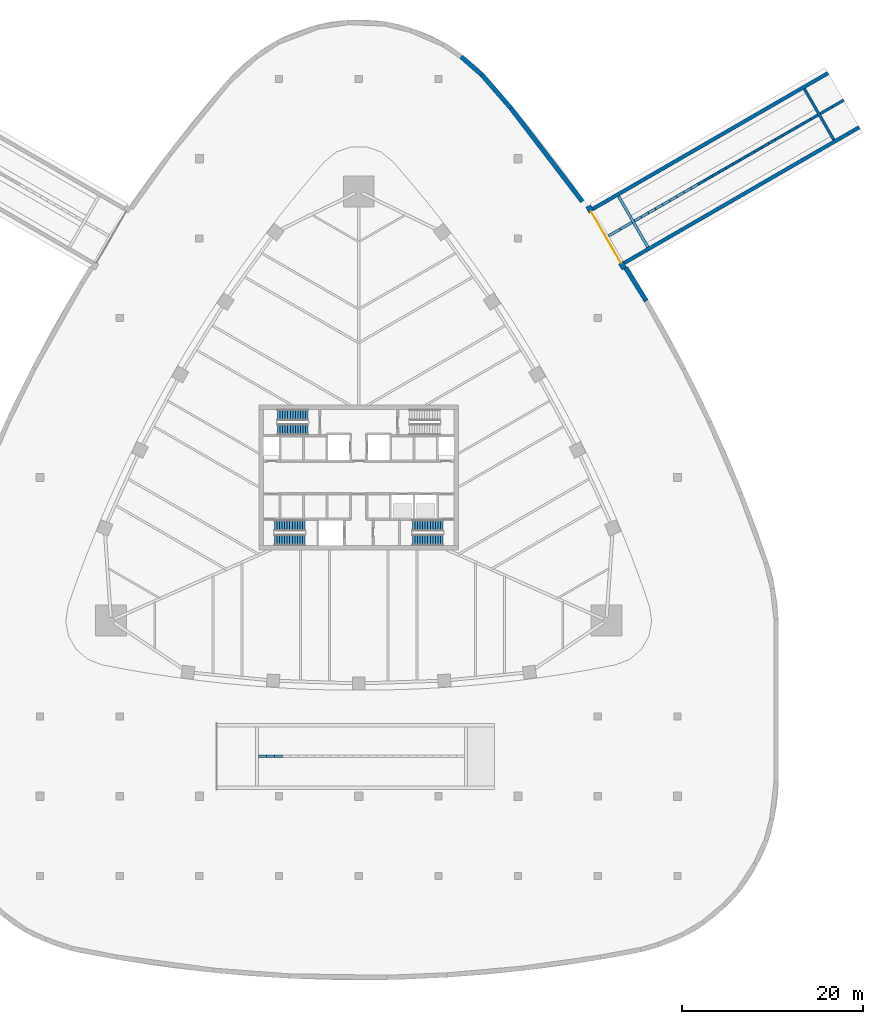
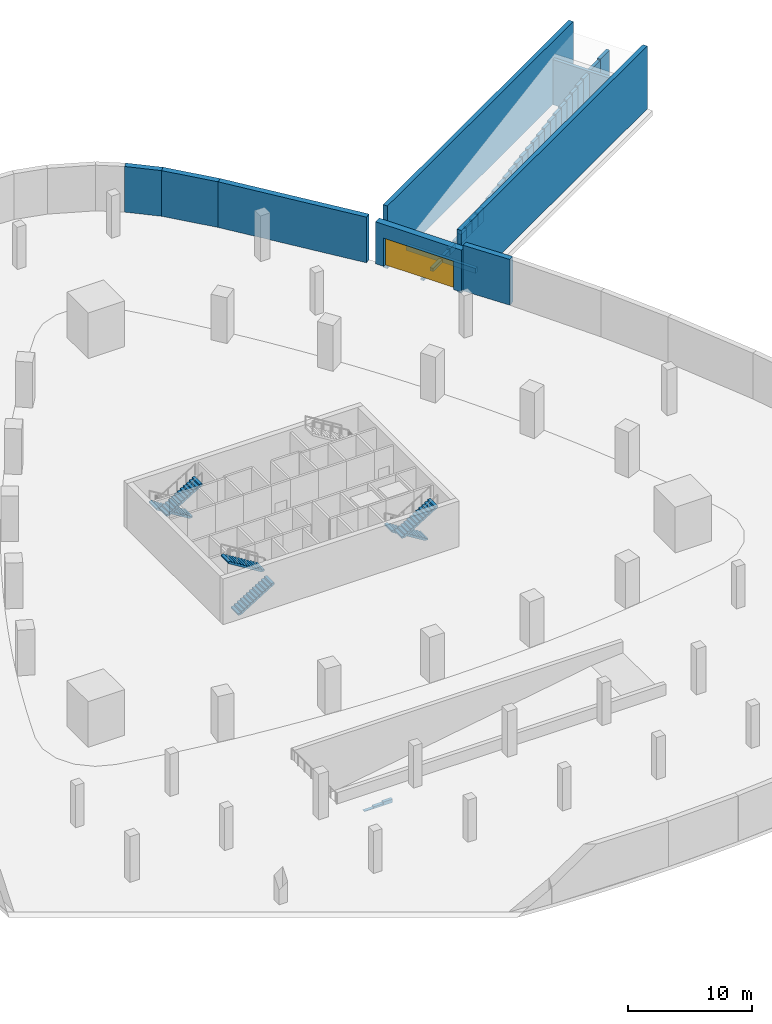
# One storey, part 7 of 10: 42 walls, 6 stair flights, 1 door, 1 opening, 3 elements without a shape of their own.
"""IFC4 building model written with IfcOpenShell, lengths in metres."""

from ifc_helpers import new_model, si_unit, direction, frame, frame_2d, origin, place, context, subcontext, project, spatial, polyline, rectangle, outline, extrude, material, layer, layer_set, type_object, element, fill, aggregate, save


model = new_model("IFC4")

# Units and contexts
model_context = context("Model", 3, precision=1e-05, world=origin(), true_north=direction((0.0, 1.0)))
body_context = subcontext(model_context, "Body", "Model", "MODEL_VIEW")
ifc_project = project(units=[si_unit("LENGTHUNIT", "METRE"), si_unit("AREAUNIT", "SQUARE_METRE"), si_unit("VOLUMEUNIT", "CUBIC_METRE"), si_unit("PLANEANGLEUNIT", "RADIAN"), si_unit("MASSUNIT", "GRAM", prefix="KILO")], contexts=[model_context])

# Site, building, storey
site_placement = place(None, origin())
site = spatial("IfcSite", under=ifc_project, at=site_placement, CompositionType="ELEMENT")
building_placement = place(site_placement, origin())
building = spatial("IfcBuilding", under=site, at=building_placement, Name="Sierra Prisma Convention Tower", CompositionType="ELEMENT")
storey_placement = place(building_placement, frame((0.0, 0.0, -4.5)))
storey = spatial("IfcBuildingStorey", under=building, at=storey_placement, Name="B1", CompositionType="ELEMENT", Elevation=-4.5)

# Wall, opening, door
ifc_material_1 = material(Name="Concrete C40/50", Category="concrete")
ifc_layer_1 = layer(ifc_material_1, 0.60009765625)
ifc_layer_set_1 = layer_set([ifc_layer_1], Name="Portal wall 600")
wall_type_1 = type_object("IfcWallType", Name="Portal wall 600", PredefinedType="STANDARD", material=ifc_layer_set_1)
wall_1_placement = place(storey_placement, frame((29.324462890625, 23.053466796875, 0.0), z_axis=(0.0, 0.0, 1.0), x_axis=(-0.49999894854, 0.866026010844, 0.0)))
wall_1 = element("IfcWall", 1, at=wall_1_placement, inside=storey, type_object=wall_type_1, Name="Car park portal wall R1", PredefinedType="STANDARD", context=body_context, shape_type="SweptSolid", body=[
    extrude(rectangle(XDim=8.0, YDim=0.60009765625, at=frame_2d((4.0, 0.0))), origin(), (0.0, 0.0, 1.0), 4.14990234375),
])
opening_placement = place(wall_1_placement, frame((0.75, 0.0, 0.0)))
opening = element("IfcOpeningElement", 2, at=opening_placement, cuts=wall_1, Name="Opening B1-D017", PredefinedType="OPENING", context=body_context, shape_type="SweptSolid", body=[
    extrude(rectangle(XDim=6.5, YDim=2.800048828125, at=frame_2d((3.25, 1.39990234375))), frame((0.0, 0.300048828125, 0.0), z_axis=(0.0, -1.0, 0.0), x_axis=(1.0, 0.0, 0.0)), (0.0, 0.0, 1.0), 0.60009765625),
])
ifc_material_2 = material(Name="Galvanised steel gate", Category="steel")
door_type = type_object("IfcDoorType", Name="Car park gate 6500 x 2800", OperationType="ROLLINGUP", PredefinedType="GATE", material=ifc_material_2)
door_placement = place(opening_placement, origin())
door = element("IfcDoor", 3, at=door_placement, inside=storey, type_object=door_type, Name="Car park gate R1", OperationType="ROLLINGUP", OverallHeight=2.800048828125, OverallWidth=6.5, PredefinedType="GATE", context=body_context, shape_type="SweptSolid", body=[
    extrude(rectangle(XDim=6.5, YDim=2.800048828125, at=frame_2d((3.25, 1.39990234375))), frame((0.0, 0.02490234375, 0.0), z_axis=(0.0, -1.0, 0.0), x_axis=(1.0, 0.0, 0.0)), (0.0, 0.0, 1.0), 0.050048828125),
])
fill(opening, door)

# Walls
ifc_material_3 = material(Name="Concrete C35/45", Category="concrete")
ifc_layer_2 = layer(ifc_material_3, 6.5)
ifc_layer_set_2 = layer_set([ifc_layer_2], Name="Ramp bearing wall 6500")
wall_type_2 = type_object("IfcWallType", Name="Ramp bearing wall 6500", PredefinedType="STANDARD", material=ifc_layer_set_2)
wall_2_placement = place(storey_placement, frame((30.177978515625, 28.1650390625, -0.60009765625), z_axis=(0.0, 0.0, 1.0), x_axis=(0.866265547609, 0.499583827826, 0.0)))
element("IfcWall", 4, at=wall_2_placement, inside=storey, type_object=wall_type_2, Name="Car park ramp R1 upper bearing wall", PredefinedType="STANDARD", context=body_context, shape_type="SweptSolid", body=[
    extrude(rectangle(XDim=0.304931640625, YDim=6.5, at=frame_2d((0.15234375, 0.0))), origin(), (0.0, 0.0, 1.0), 0.49462890625),
])
wall_3_placement = place(storey_placement, frame((50.707275390625, 40.017578125, -0.60009765625), z_axis=(0.0, 0.0, 1.0), x_axis=(0.866065518833, 0.499930512259, 0.0)))
element("IfcWall", 5, at=wall_3_placement, inside=storey, type_object=wall_type_2, Name="Car park ramp R1 lower bearing wall", PredefinedType="STANDARD", context=body_context, shape_type="SweptSolid", body=[
    extrude(rectangle(XDim=0.3046875, YDim=6.5, at=frame_2d((0.15234375, 0.0))), origin(), (0.0, 0.0, 1.0), 4.4453125),
])
ifc_material_4 = material(Name="Concrete C35/45", Category="concrete")
ifc_layer_3 = layer(ifc_material_4, 0.300048828125)
ifc_layer_set_3 = layer_set([ifc_layer_3], Name="Ramp spine wall 300")
wall_type_3 = type_object("IfcWallType", Name="Ramp spine wall 300", PredefinedType="STANDARD", material=ifc_layer_set_3)
wall_4_placement = place(storey_placement, frame((-8.443603515625, -30.800048828125, -4.5), z_axis=(0.0, 0.0, 1.0), x_axis=(-1.0, 0.0, 0.0)))
element("IfcWall", 6, at=wall_4_placement, inside=storey, type_object=wall_type_3, Name="Car park ramp R3 spine wall 24", PredefinedType="STANDARD", context=body_context, shape_type="SweptSolid", body=[
    extrude(rectangle(XDim=0.875732421875, YDim=0.300048828125, at=frame_2d((0.43798828125, 0.0))), origin(), (0.0, 0.0, 1.0), 0.341796875),
])
wall_5_placement = place(storey_placement, frame((-9.3193359375, -30.800048828125, -4.5), z_axis=(0.0, 0.0, 1.0), x_axis=(-1.0, 0.0, 0.0)))
element("IfcWall", 7, at=wall_5_placement, inside=storey, type_object=wall_type_3, Name="Car park ramp R3 spine wall 25", PredefinedType="STANDARD", context=body_context, shape_type="SweptSolid", body=[
    extrude(rectangle(XDim=0.8759765625, YDim=0.300048828125, at=frame_2d((0.43798828125, 0.0))), origin(), (0.0, 0.0, 1.0), 0.196044921875),
])
wall_6_placement = place(storey_placement, frame((-10.1953125, -30.800048828125, -4.5), z_axis=(0.0, 0.0, 1.0), x_axis=(-1.0, 0.0, 0.0)))
element("IfcWall", 8, at=wall_6_placement, inside=storey, type_object=wall_type_3, Name="Car park ramp R3 spine wall 26", PredefinedType="STANDARD", context=body_context, shape_type="SweptSolid", body=[
    extrude(rectangle(XDim=0.875732421875, YDim=0.300048828125, at=frame_2d((0.43798828125, 0.0))), origin(), (0.0, 0.0, 1.0), 0.050048828125),
])
wall_7_placement = place(storey_placement, frame((27.584228515625, 26.66748046875, -0.60009765625), z_axis=(0.0, 0.0, 1.0), x_axis=(0.866031096941, 0.499990139034, 0.0)))
element("IfcWall", 9, at=wall_7_placement, inside=storey, type_object=wall_type_3, Name="Car park ramp R1 spine wall 1 1", PredefinedType="STANDARD", context=body_context, shape_type="SweptSolid", body=[
    extrude(rectangle(XDim=1.5, YDim=0.300048828125, at=frame_2d((0.75, 0.0))), origin(), (0.0, 0.0, 1.0), 0.19873046875),
])
wall_8_placement = place(storey_placement, frame((28.88330078125, 27.41748046875, -0.60009765625), z_axis=(0.0, 0.0, 1.0), x_axis=(0.866031096941, 0.499990139034, 0.0)))
element("IfcWall", 10, at=wall_8_placement, inside=storey, type_object=wall_type_3, Name="Car park ramp R1 spine wall 1 2", PredefinedType="STANDARD", context=body_context, shape_type="SweptSolid", body=[
    extrude(rectangle(XDim=1.5, YDim=0.300048828125, at=frame_2d((0.75, 0.0))), origin(), (0.0, 0.0, 1.0), 0.32373046875),
])
wall_9_placement = place(storey_placement, frame((30.442138671875, 28.3173828125, -0.60009765625), z_axis=(0.0, 0.0, 1.0), x_axis=(0.865964261186, 0.500105887137, 0.0)))
element("IfcWall", 11, at=wall_9_placement, inside=storey, type_object=wall_type_3, Name="Car park ramp R1 spine wall 2 1", PredefinedType="STANDARD", context=body_context, shape_type="SweptSolid", body=[
    extrude(rectangle(XDim=0.900146484375, YDim=0.300048828125, at=frame_2d((0.4501953125, 0.0))), origin(), (0.0, 0.0, 1.0), 0.49462890625),
])
wall_10_placement = place(storey_placement, frame((31.2216796875, 28.767578125, -0.60009765625), z_axis=(0.0, 0.0, 1.0), x_axis=(0.866013897511, 0.50001992892, 0.0)))
element("IfcWall", 12, at=wall_10_placement, inside=storey, type_object=wall_type_3, Name="Car park ramp R1 spine wall 2 2", PredefinedType="STANDARD", context=body_context, shape_type="SweptSolid", body=[
    extrude(rectangle(XDim=0.89990234375, YDim=0.300048828125, at=frame_2d((0.449951171875, 0.0))), origin(), (0.0, 0.0, 1.0), 0.64453125),
])
wall_11_placement = place(storey_placement, frame((32.0009765625, 29.217529296875, -0.60009765625), z_axis=(0.0, 0.0, 1.0), x_axis=(0.866081705922, 0.499902469156, 0.0)))
element("IfcWall", 13, at=wall_11_placement, inside=storey, type_object=wall_type_3, Name="Car park ramp R1 spine wall 2 3", PredefinedType="STANDARD", context=body_context, shape_type="SweptSolid", body=[
    extrude(rectangle(XDim=0.900146484375, YDim=0.300048828125, at=frame_2d((0.4501953125, 0.0))), origin(), (0.0, 0.0, 1.0), 0.794677734375),
])
wall_12_placement = place(storey_placement, frame((32.780517578125, 29.66748046875, -0.60009765625), z_axis=(0.0, 0.0, 1.0), x_axis=(0.866013897511, 0.50001992892, 0.0)))
element("IfcWall", 14, at=wall_12_placement, inside=storey, type_object=wall_type_3, Name="Car park ramp R1 spine wall 2 4", PredefinedType="STANDARD", context=body_context, shape_type="SweptSolid", body=[
    extrude(rectangle(XDim=0.89990234375, YDim=0.300048828125, at=frame_2d((0.449951171875, 0.0))), origin(), (0.0, 0.0, 1.0), 0.944580078125),
])
wall_13_placement = place(storey_placement, frame((33.559814453125, 30.117431640625, -0.60009765625), z_axis=(0.0, 0.0, 1.0), x_axis=(0.866081705922, 0.499902469156, 0.0)))
element("IfcWall", 15, at=wall_13_placement, inside=storey, type_object=wall_type_3, Name="Car park ramp R1 spine wall 2 5", PredefinedType="STANDARD", context=body_context, shape_type="SweptSolid", body=[
    extrude(rectangle(XDim=0.900146484375, YDim=0.300048828125, at=frame_2d((0.4501953125, 0.0))), origin(), (0.0, 0.0, 1.0), 1.094482421875),
])
wall_14_placement = place(storey_placement, frame((34.33935546875, 30.5673828125, -0.60009765625), z_axis=(0.0, 0.0, 1.0), x_axis=(0.865896406789, 0.500223362819, 0.0)))
element("IfcWall", 16, at=wall_14_placement, inside=storey, type_object=wall_type_3, Name="Car park ramp R1 spine wall 2 6", PredefinedType="STANDARD", context=body_context, shape_type="SweptSolid", body=[
    extrude(rectangle(XDim=0.89990234375, YDim=0.300048828125, at=frame_2d((0.449951171875, 0.0))), origin(), (0.0, 0.0, 1.0), 1.24462890625),
])
wall_15_placement = place(storey_placement, frame((35.11865234375, 31.017578125, -0.60009765625), z_axis=(0.0, 0.0, 1.0), x_axis=(0.866081705922, 0.499902469156, 0.0)))
element("IfcWall", 17, at=wall_15_placement, inside=storey, type_object=wall_type_3, Name="Car park ramp R1 spine wall 2 7", PredefinedType="STANDARD", context=body_context, shape_type="SweptSolid", body=[
    extrude(rectangle(XDim=0.900146484375, YDim=0.300048828125, at=frame_2d((0.4501953125, 0.0))), origin(), (0.0, 0.0, 1.0), 1.39453125),
])
wall_16_placement = place(storey_placement, frame((35.898193359375, 31.467529296875, -0.60009765625), z_axis=(0.0, 0.0, 1.0), x_axis=(0.866013897511, 0.50001992892, 0.0)))
element("IfcWall", 18, at=wall_16_placement, inside=storey, type_object=wall_type_3, Name="Car park ramp R1 spine wall 2 8", PredefinedType="STANDARD", context=body_context, shape_type="SweptSolid", body=[
    extrude(rectangle(XDim=0.89990234375, YDim=0.300048828125, at=frame_2d((0.449951171875, 0.0))), origin(), (0.0, 0.0, 1.0), 1.544677734375),
])
wall_17_placement = place(storey_placement, frame((36.677490234375, 31.91748046875, -0.60009765625), z_axis=(0.0, 0.0, 1.0), x_axis=(0.866081705922, 0.499902469156, 0.0)))
element("IfcWall", 19, at=wall_17_placement, inside=storey, type_object=wall_type_3, Name="Car park ramp R1 spine wall 2 9", PredefinedType="STANDARD", context=body_context, shape_type="SweptSolid", body=[
    extrude(rectangle(XDim=0.900146484375, YDim=0.300048828125, at=frame_2d((0.4501953125, 0.0))), origin(), (0.0, 0.0, 1.0), 1.694580078125),
])
wall_18_placement = place(storey_placement, frame((37.45703125, 32.367431640625, -0.60009765625), z_axis=(0.0, 0.0, 1.0), x_axis=(0.866013897511, 0.50001992892, 0.0)))
element("IfcWall", 20, at=wall_18_placement, inside=storey, type_object=wall_type_3, Name="Car park ramp R1 spine wall 2 10", PredefinedType="STANDARD", context=body_context, shape_type="SweptSolid", body=[
    extrude(rectangle(XDim=0.89990234375, YDim=0.300048828125, at=frame_2d((0.449951171875, 0.0))), origin(), (0.0, 0.0, 1.0), 1.844482421875),
])
wall_19_placement = place(storey_placement, frame((38.236328125, 32.8173828125, -0.60009765625), z_axis=(0.0, 0.0, 1.0), x_axis=(0.865964261186, 0.500105887137, 0.0)))
element("IfcWall", 21, at=wall_19_placement, inside=storey, type_object=wall_type_3, Name="Car park ramp R1 spine wall 2 11", PredefinedType="STANDARD", context=body_context, shape_type="SweptSolid", body=[
    extrude(rectangle(XDim=0.900146484375, YDim=0.300048828125, at=frame_2d((0.4501953125, 0.0))), origin(), (0.0, 0.0, 1.0), 1.99462890625),
])
wall_20_placement = place(storey_placement, frame((39.015869140625, 33.267578125, -0.60009765625), z_axis=(0.0, 0.0, 1.0), x_axis=(0.866081705922, 0.499902469156, 0.0)))
element("IfcWall", 22, at=wall_20_placement, inside=storey, type_object=wall_type_3, Name="Car park ramp R1 spine wall 2 12", PredefinedType="STANDARD", context=body_context, shape_type="SweptSolid", body=[
    extrude(rectangle(XDim=0.900146484375, YDim=0.300048828125, at=frame_2d((0.4501953125, 0.0))), origin(), (0.0, 0.0, 1.0), 2.14453125),
])
wall_21_placement = place(storey_placement, frame((39.79541015625, 33.717529296875, -0.60009765625), z_axis=(0.0, 0.0, 1.0), x_axis=(0.866013897511, 0.50001992892, 0.0)))
element("IfcWall", 23, at=wall_21_placement, inside=storey, type_object=wall_type_3, Name="Car park ramp R1 spine wall 2 13", PredefinedType="STANDARD", context=body_context, shape_type="SweptSolid", body=[
    extrude(rectangle(XDim=0.89990234375, YDim=0.300048828125, at=frame_2d((0.449951171875, 0.0))), origin(), (0.0, 0.0, 1.0), 2.294677734375),
])
wall_22_placement = place(storey_placement, frame((40.57470703125, 34.16748046875, -0.60009765625), z_axis=(0.0, 0.0, 1.0), x_axis=(0.866013897511, 0.50001992892, 0.0)))
element("IfcWall", 24, at=wall_22_placement, inside=storey, type_object=wall_type_3, Name="Car park ramp R1 spine wall 2 14", PredefinedType="STANDARD", context=body_context, shape_type="SweptSolid", body=[
    extrude(rectangle(XDim=0.89990234375, YDim=0.300048828125, at=frame_2d((0.449951171875, 0.0))), origin(), (0.0, 0.0, 1.0), 2.444580078125),
])
wall_23_placement = place(storey_placement, frame((41.35400390625, 34.617431640625, -0.60009765625), z_axis=(0.0, 0.0, 1.0), x_axis=(0.866081705922, 0.499902469156, 0.0)))
element("IfcWall", 25, at=wall_23_placement, inside=storey, type_object=wall_type_3, Name="Car park ramp R1 spine wall 2 15", PredefinedType="STANDARD", context=body_context, shape_type="SweptSolid", body=[
    extrude(rectangle(XDim=0.900146484375, YDim=0.300048828125, at=frame_2d((0.4501953125, 0.0))), origin(), (0.0, 0.0, 1.0), 2.594482421875),
])
wall_24_placement = place(storey_placement, frame((42.133544921875, 35.0673828125, -0.60009765625), z_axis=(0.0, 0.0, 1.0), x_axis=(0.865896406789, 0.500223362819, 0.0)))
element("IfcWall", 26, at=wall_24_placement, inside=storey, type_object=wall_type_3, Name="Car park ramp R1 spine wall 2 16", PredefinedType="STANDARD", context=body_context, shape_type="SweptSolid", body=[
    extrude(rectangle(XDim=0.89990234375, YDim=0.300048828125, at=frame_2d((0.449951171875, 0.0))), origin(), (0.0, 0.0, 1.0), 2.74462890625),
])
wall_25_placement = place(storey_placement, frame((42.912841796875, 35.517578125, -0.60009765625), z_axis=(0.0, 0.0, 1.0), x_axis=(0.866081705922, 0.499902469156, 0.0)))
element("IfcWall", 27, at=wall_25_placement, inside=storey, type_object=wall_type_3, Name="Car park ramp R1 spine wall 2 17", PredefinedType="STANDARD", context=body_context, shape_type="SweptSolid", body=[
    extrude(rectangle(XDim=0.900146484375, YDim=0.300048828125, at=frame_2d((0.4501953125, 0.0))), origin(), (0.0, 0.0, 1.0), 2.89453125),
])
wall_26_placement = place(storey_placement, frame((43.6923828125, 35.967529296875, -0.60009765625), z_axis=(0.0, 0.0, 1.0), x_axis=(0.866013897511, 0.50001992892, 0.0)))
element("IfcWall", 28, at=wall_26_placement, inside=storey, type_object=wall_type_3, Name="Car park ramp R1 spine wall 2 18", PredefinedType="STANDARD", context=body_context, shape_type="SweptSolid", body=[
    extrude(rectangle(XDim=0.89990234375, YDim=0.300048828125, at=frame_2d((0.449951171875, 0.0))), origin(), (0.0, 0.0, 1.0), 3.044677734375),
])
wall_27_placement = place(storey_placement, frame((44.4716796875, 36.41748046875, -0.60009765625), z_axis=(0.0, 0.0, 1.0), x_axis=(0.866081705922, 0.499902469156, 0.0)))
element("IfcWall", 29, at=wall_27_placement, inside=storey, type_object=wall_type_3, Name="Car park ramp R1 spine wall 2 19", PredefinedType="STANDARD", context=body_context, shape_type="SweptSolid", body=[
    extrude(rectangle(XDim=0.900146484375, YDim=0.300048828125, at=frame_2d((0.4501953125, 0.0))), origin(), (0.0, 0.0, 1.0), 3.194580078125),
])
wall_28_placement = place(storey_placement, frame((45.251220703125, 36.867431640625, -0.60009765625), z_axis=(0.0, 0.0, 1.0), x_axis=(0.866013897511, 0.50001992892, 0.0)))
element("IfcWall", 30, at=wall_28_placement, inside=storey, type_object=wall_type_3, Name="Car park ramp R1 spine wall 2 20", PredefinedType="STANDARD", context=body_context, shape_type="SweptSolid", body=[
    extrude(rectangle(XDim=0.89990234375, YDim=0.300048828125, at=frame_2d((0.449951171875, 0.0))), origin(), (0.0, 0.0, 1.0), 3.344482421875),
])
wall_29_placement = place(storey_placement, frame((46.030517578125, 37.3173828125, -0.60009765625), z_axis=(0.0, 0.0, 1.0), x_axis=(0.865964261186, 0.500105887137, 0.0)))
element("IfcWall", 31, at=wall_29_placement, inside=storey, type_object=wall_type_3, Name="Car park ramp R1 spine wall 2 21", PredefinedType="STANDARD", context=body_context, shape_type="SweptSolid", body=[
    extrude(rectangle(XDim=0.900146484375, YDim=0.300048828125, at=frame_2d((0.4501953125, 0.0))), origin(), (0.0, 0.0, 1.0), 3.49462890625),
])
wall_30_placement = place(storey_placement, frame((46.81005859375, 37.767578125, -0.60009765625), z_axis=(0.0, 0.0, 1.0), x_axis=(0.866081705922, 0.499902469156, 0.0)))
element("IfcWall", 32, at=wall_30_placement, inside=storey, type_object=wall_type_3, Name="Car park ramp R1 spine wall 2 22", PredefinedType="STANDARD", context=body_context, shape_type="SweptSolid", body=[
    extrude(rectangle(XDim=0.900146484375, YDim=0.300048828125, at=frame_2d((0.4501953125, 0.0))), origin(), (0.0, 0.0, 1.0), 3.64453125),
])
wall_31_placement = place(storey_placement, frame((47.589599609375, 38.217529296875, -0.60009765625), z_axis=(0.0, 0.0, 1.0), x_axis=(0.866013897511, 0.50001992892, 0.0)))
element("IfcWall", 33, at=wall_31_placement, inside=storey, type_object=wall_type_3, Name="Car park ramp R1 spine wall 2 23", PredefinedType="STANDARD", context=body_context, shape_type="SweptSolid", body=[
    extrude(rectangle(XDim=0.89990234375, YDim=0.300048828125, at=frame_2d((0.449951171875, 0.0))), origin(), (0.0, 0.0, 1.0), 3.794677734375),
])
wall_32_placement = place(storey_placement, frame((48.368896484375, 38.66748046875, -0.60009765625), z_axis=(0.0, 0.0, 1.0), x_axis=(0.866013897511, 0.50001992892, 0.0)))
element("IfcWall", 34, at=wall_32_placement, inside=storey, type_object=wall_type_3, Name="Car park ramp R1 spine wall 2 24", PredefinedType="STANDARD", context=body_context, shape_type="SweptSolid", body=[
    extrude(rectangle(XDim=0.89990234375, YDim=0.300048828125, at=frame_2d((0.449951171875, 0.0))), origin(), (0.0, 0.0, 1.0), 3.944580078125),
])
wall_33_placement = place(storey_placement, frame((49.148193359375, 39.117431640625, -0.60009765625), z_axis=(0.0, 0.0, 1.0), x_axis=(0.866081705922, 0.499902469156, 0.0)))
element("IfcWall", 35, at=wall_33_placement, inside=storey, type_object=wall_type_3, Name="Car park ramp R1 spine wall 2 25", PredefinedType="STANDARD", context=body_context, shape_type="SweptSolid", body=[
    extrude(rectangle(XDim=0.900146484375, YDim=0.300048828125, at=frame_2d((0.4501953125, 0.0))), origin(), (0.0, 0.0, 1.0), 4.094482421875),
])
wall_34_placement = place(storey_placement, frame((49.927734375, 39.5673828125, -0.60009765625), z_axis=(0.0, 0.0, 1.0), x_axis=(0.865964261186, 0.500105887137, 0.0)))
element("IfcWall", 36, at=wall_34_placement, inside=storey, type_object=wall_type_3, Name="Car park ramp R1 spine wall 2 26", PredefinedType="STANDARD", context=body_context, shape_type="SweptSolid", body=[
    extrude(rectangle(XDim=0.900146484375, YDim=0.300048828125, at=frame_2d((0.4501953125, 0.0))), origin(), (0.0, 0.0, 1.0), 4.24462890625),
])
wall_35_placement = place(storey_placement, frame((50.967041015625, 40.16748046875, -0.60009765625), z_axis=(0.0, 0.0, 1.0), x_axis=(0.866031096941, 0.499990139034, 0.0)))
element("IfcWall", 37, at=wall_35_placement, inside=storey, type_object=wall_type_3, Name="Car park ramp R1 spine wall 3 1", PredefinedType="STANDARD", context=body_context, shape_type="SweptSolid", body=[
    extrude(rectangle(XDim=1.5, YDim=0.300048828125, at=frame_2d((0.75, 0.0))), origin(), (0.0, 0.0, 1.0), 4.44873046875),
])
wall_36_placement = place(storey_placement, frame((52.26611328125, 40.91748046875, -0.60009765625), z_axis=(0.0, 0.0, 1.0), x_axis=(0.866031096941, 0.499990139034, 0.0)))
element("IfcWall", 38, at=wall_36_placement, inside=storey, type_object=wall_type_3, Name="Car park ramp R1 spine wall 3 2", PredefinedType="STANDARD", context=body_context, shape_type="SweptSolid", body=[
    extrude(rectangle(XDim=1.5, YDim=0.300048828125, at=frame_2d((0.75, 0.0))), origin(), (0.0, 0.0, 1.0), 4.57373046875),
])
ifc_material_5 = material(Name="Concrete C35/45", Category="concrete")
ifc_layer_4 = layer(ifc_material_5, 0.39990234375)
ifc_layer_set_4 = layer_set([ifc_layer_4], Name="Retaining wall 400")
wall_type_4 = type_object("IfcWallType", Name="Retaining wall 400", PredefinedType="STANDARD", material=ifc_layer_set_4)
for number, where, z_axis, x_axis, name in (
    (39, (25.859375, 29.6552734375, -0.60009765625), (0.0, 0.0, 1.0), (0.866024993593, 0.500000710472, 0.0), "Car park ramp R1 retaining wall left"),
    (40, (29.309326171875, 23.6796875, -0.60009765625), (0.0, 0.0, 1.0), (0.866024993593, 0.500000710472, 0.0), "Car park ramp R1 retaining wall right"),
):
    element("IfcWall", number, at=place(storey_placement, frame(where, z_axis=z_axis, x_axis=x_axis)), inside=storey, type_object=wall_type_4, Name=name, PredefinedType="STANDARD", context=body_context, shape_type="SweptSolid", body=[
        extrude(rectangle(XDim=30.0, YDim=0.39990234375, at=frame_2d((15.0, 0.0))), origin(), (0.0, 0.0, 1.0), 6.2001953125),
    ])
ifc_material_6 = material(Name="Concrete C40/50", Category="concrete")
ifc_layer_5 = layer(ifc_material_6, 0.5)
ifc_layer_set_5 = layer_set([ifc_layer_5], Name="Retaining wall 500")
wall_type_5 = type_object("IfcWallType", Name="Retaining wall 500", PredefinedType="SOLIDWALL", material=ifc_layer_set_5)
wall_37_placement = place(storey_placement, frame((11.31103515625, 46.4609375, 0.0), z_axis=(0.0, 0.0, 1.0), x_axis=(0.75405729919, -0.656808639969, 0.0)))
element("IfcWall", 41, at=wall_37_placement, inside=storey, type_object=wall_type_5, Name="Retaining wall B1 31", PredefinedType="SOLIDWALL", context=body_context, shape_type="SweptSolid", body=[
    extrude(rectangle(XDim=3.05029296875, YDim=0.5, at=frame_2d((1.525146484375, 0.0))), origin(), (0.0, 0.0, 1.0), 4.5),
])
wall_38_placement = place(storey_placement, frame((13.611083984375, 44.45751953125, 0.0), z_axis=(0.0, 0.0, 1.0), x_axis=(0.656013413924, -0.754749230375, 0.0)))
element("IfcWall", 42, at=wall_38_placement, inside=storey, type_object=wall_type_5, Name="Retaining wall B1 32", PredefinedType="SOLIDWALL", context=body_context, shape_type="SweptSolid", body=[
    extrude(rectangle(XDim=4.86376953125, YDim=0.5, at=frame_2d((2.431884765625, 0.0))), origin(), (0.0, 0.0, 1.0), 4.5),
])
wall_39_placement = place(storey_placement, frame((16.8017578125, 40.78662109375, 0.0), z_axis=(0.0, 0.0, 1.0), x_axis=(0.607919576061, -0.793998607707, 0.0)))
element("IfcWall", 43, at=wall_39_placement, inside=storey, type_object=wall_type_5, Name="Retaining wall B1 33", PredefinedType="SOLIDWALL", context=body_context, shape_type="SweptSolid", body=[
    extrude(rectangle(XDim=12.98779296875, YDim=0.5, at=frame_2d((6.493896484375, 0.0))), origin(), (0.0, 0.0, 1.0), 4.5),
])
wall_40_placement = place(storey_placement, frame((29.480224609375, 23.143310546875, 0.0), z_axis=(0.0, 0.0, 1.0), x_axis=(0.528796031192, -0.848748936609, 0.0)))
element("IfcWall", 44, at=wall_40_placement, inside=storey, type_object=wall_type_5, Name="Retaining wall B1 35", PredefinedType="SOLIDWALL", context=body_context, shape_type="SweptSolid", body=[
    extrude(rectangle(XDim=4.2890625, YDim=0.5, at=frame_2d((2.14453125, 0.0))), origin(), (0.0, 0.0, 1.0), 4.5),
])

# Stair, stair flights
ifc_material_7 = material(Name="Concrete C30/37", Category="concrete")
stair_type = type_object("IfcStairType", Name="Stair dog-leg 1200 RC", PredefinedType="HALF_TURN_STAIR", material=ifc_material_7)
stair_1_placement = place(storey_placement, origin())
stair_1 = element("IfcStair", 45, at=stair_1_placement, inside=storey, type_object=stair_type, Name="B1 S1", PredefinedType="HALF_TURN_STAIR")
ifc_material_8 = material(Name="Concrete C30/37", Category="concrete")
stair_flight_type = type_object("IfcStairFlightType", Name="Stair flight RC 1200", PredefinedType="STRAIGHT", material=ifc_material_8)
stair_flight_1_placement = place(storey_placement, frame((-9.300048828125, -6.89990234375, 0.0), z_axis=(0.0, 0.0, 1.0), x_axis=(1.0, 0.0, 0.0)))
stair_flight_1 = element("IfcStairFlight", 46, at=stair_flight_1_placement, type_object=stair_flight_type, Name="S1 flight 1", NumberOfRisers=13, NumberOfTreads=12, PredefinedType="STRAIGHT", RiserHeight=0.173076923, TreadLength=0.28, context=body_context, shape_type="SweptSolid", body=[
    extrude(outline(polyline([(0.0, 0.0), (0.0, 0.173095703125), (0.280029296875, 0.173095703125), (0.280029296875, 0.34619140625), (0.56005859375, 0.34619140625), (0.56005859375, 0.519287109375), (0.840087890625, 0.519287109375), (0.840087890625, 0.6923828125), (1.1201171875, 0.6923828125), (1.1201171875, 0.865478515625), (1.39990234375, 0.865478515625), (1.39990234375, 1.03857421875), (1.679931640625, 1.03857421875), (1.679931640625, 1.21142578125), (1.9599609375, 1.21142578125), (1.9599609375, 1.384521484375), (2.239990234375, 1.384521484375), (2.239990234375, 1.5576171875), (2.52001953125, 1.5576171875), (2.52001953125, 1.730712890625), (2.800048828125, 1.730712890625), (2.800048828125, 1.90380859375), (3.080078125, 1.90380859375), (3.080078125, 2.076904296875), (3.360107421875, 2.076904296875), (3.360107421875, 2.25), (3.360107421875, 1.900634765625), (0.28515625, 0.0), (0.0, 0.0)])), frame((0.0, 0.60009765625, 0.0), z_axis=(0.0, -1.0, 0.0), x_axis=(1.0, 0.0, 0.0)), (0.0, 0.0, 1.0), 1.199951171875),
])
stair_flight_2_placement = place(storey_placement, frame((-5.93994140625, -5.300048828125, 2.25), z_axis=(0.0, 0.0, 1.0), x_axis=(-1.0, 0.0, 0.0)))
stair_flight_2 = element("IfcStairFlight", 47, at=stair_flight_2_placement, type_object=stair_flight_type, Name="S1 flight 2", NumberOfRisers=13, NumberOfTreads=12, PredefinedType="STRAIGHT", RiserHeight=0.173076923, TreadLength=0.28, context=body_context, shape_type="SweptSolid", body=[
    extrude(outline(polyline([(0.0, 0.0), (0.0, 0.173095703125), (0.280029296875, 0.173095703125), (0.280029296875, 0.34619140625), (0.56005859375, 0.34619140625), (0.56005859375, 0.519287109375), (0.840087890625, 0.519287109375), (0.840087890625, 0.6923828125), (1.1201171875, 0.6923828125), (1.1201171875, 0.865478515625), (1.39990234375, 0.865478515625), (1.39990234375, 1.03857421875), (1.679931640625, 1.03857421875), (1.679931640625, 1.21142578125), (1.9599609375, 1.21142578125), (1.9599609375, 1.384521484375), (2.239990234375, 1.384521484375), (2.239990234375, 1.5576171875), (2.52001953125, 1.5576171875), (2.52001953125, 1.730712890625), (2.800048828125, 1.730712890625), (2.800048828125, 1.90380859375), (3.080078125, 1.90380859375), (3.080078125, 2.076904296875), (3.360107421875, 2.076904296875), (3.360107421875, 2.25), (3.360107421875, 1.900634765625), (0.28515625, 0.0), (0.0, 0.0)])), frame((0.0, 0.60009765625, 0.0), z_axis=(0.0, -1.0, 0.0), x_axis=(1.0, 0.0, 0.0)), (0.0, 0.0, 1.0), 1.199951171875),
])
aggregate(stair_1, [stair_flight_1, stair_flight_2])

stair_2_placement = place(storey_placement, origin())
stair_2 = element("IfcStair", 48, at=stair_2_placement, inside=storey, type_object=stair_type, Name="B1 S2", PredefinedType="HALF_TURN_STAIR")
stair_flight_3_placement = place(storey_placement, frame((9.300048828125, -5.300048828125, 0.0), z_axis=(0.0, 0.0, 1.0), x_axis=(-1.0, 0.0, 0.0)))
stair_flight_3 = element("IfcStairFlight", 49, at=stair_flight_3_placement, type_object=stair_flight_type, Name="S2 flight 1", NumberOfRisers=13, NumberOfTreads=12, PredefinedType="STRAIGHT", RiserHeight=0.173076923, TreadLength=0.28, context=body_context, shape_type="SweptSolid", body=[
    extrude(outline(polyline([(0.0, 0.0), (0.0, 0.173095703125), (0.280029296875, 0.173095703125), (0.280029296875, 0.34619140625), (0.56005859375, 0.34619140625), (0.56005859375, 0.519287109375), (0.840087890625, 0.519287109375), (0.840087890625, 0.6923828125), (1.1201171875, 0.6923828125), (1.1201171875, 0.865478515625), (1.39990234375, 0.865478515625), (1.39990234375, 1.03857421875), (1.679931640625, 1.03857421875), (1.679931640625, 1.21142578125), (1.9599609375, 1.21142578125), (1.9599609375, 1.384521484375), (2.239990234375, 1.384521484375), (2.239990234375, 1.5576171875), (2.52001953125, 1.5576171875), (2.52001953125, 1.730712890625), (2.800048828125, 1.730712890625), (2.800048828125, 1.90380859375), (3.080078125, 1.90380859375), (3.080078125, 2.076904296875), (3.360107421875, 2.076904296875), (3.360107421875, 2.25), (3.360107421875, 1.900634765625), (0.28515625, 0.0), (0.0, 0.0)])), frame((0.0, 0.60009765625, 0.0), z_axis=(0.0, -1.0, 0.0), x_axis=(1.0, 0.0, 0.0)), (0.0, 0.0, 1.0), 1.199951171875),
])
stair_flight_4_placement = place(storey_placement, frame((5.93994140625, -6.89990234375, 2.25), z_axis=(0.0, 0.0, 1.0), x_axis=(1.0, 0.0, 0.0)))
stair_flight_4 = element("IfcStairFlight", 50, at=stair_flight_4_placement, type_object=stair_flight_type, Name="S2 flight 2", NumberOfRisers=13, NumberOfTreads=12, PredefinedType="STRAIGHT", RiserHeight=0.173076923, TreadLength=0.28, context=body_context, shape_type="SweptSolid", body=[
    extrude(outline(polyline([(0.0, 0.0), (0.0, 0.173095703125), (0.280029296875, 0.173095703125), (0.280029296875, 0.34619140625), (0.56005859375, 0.34619140625), (0.56005859375, 0.519287109375), (0.840087890625, 0.519287109375), (0.840087890625, 0.6923828125), (1.1201171875, 0.6923828125), (1.1201171875, 0.865478515625), (1.39990234375, 0.865478515625), (1.39990234375, 1.03857421875), (1.679931640625, 1.03857421875), (1.679931640625, 1.21142578125), (1.9599609375, 1.21142578125), (1.9599609375, 1.384521484375), (2.239990234375, 1.384521484375), (2.239990234375, 1.5576171875), (2.52001953125, 1.5576171875), (2.52001953125, 1.730712890625), (2.800048828125, 1.730712890625), (2.800048828125, 1.90380859375), (3.080078125, 1.90380859375), (3.080078125, 2.076904296875), (3.360107421875, 2.076904296875), (3.360107421875, 2.25), (3.360107421875, 1.900634765625), (0.28515625, 0.0), (0.0, 0.0)])), frame((0.0, 0.60009765625, 0.0), z_axis=(0.0, -1.0, 0.0), x_axis=(1.0, 0.0, 0.0)), (0.0, 0.0, 1.0), 1.199951171875),
])
aggregate(stair_2, [stair_flight_3, stair_flight_4])

stair_3_placement = place(storey_placement, origin())
stair_3 = element("IfcStair", 51, at=stair_3_placement, inside=storey, type_object=stair_type, Name="B1 S3", PredefinedType="HALF_TURN_STAIR")
stair_flight_5_placement = place(storey_placement, frame((-5.60009765625, 6.89990234375, 0.0), z_axis=(0.0, 0.0, 1.0), x_axis=(-1.0, 0.0, 0.0)))
stair_flight_5 = element("IfcStairFlight", 52, at=stair_flight_5_placement, type_object=stair_flight_type, Name="S3 flight 1", NumberOfRisers=13, NumberOfTreads=12, PredefinedType="STRAIGHT", RiserHeight=0.173076923, TreadLength=0.28, context=body_context, shape_type="SweptSolid", body=[
    extrude(outline(polyline([(0.0, 0.0), (0.0, 0.173095703125), (0.280029296875, 0.173095703125), (0.280029296875, 0.34619140625), (0.56005859375, 0.34619140625), (0.56005859375, 0.519287109375), (0.840087890625, 0.519287109375), (0.840087890625, 0.6923828125), (1.1201171875, 0.6923828125), (1.1201171875, 0.865478515625), (1.39990234375, 0.865478515625), (1.39990234375, 1.03857421875), (1.679931640625, 1.03857421875), (1.679931640625, 1.21142578125), (1.9599609375, 1.21142578125), (1.9599609375, 1.384521484375), (2.239990234375, 1.384521484375), (2.239990234375, 1.5576171875), (2.52001953125, 1.5576171875), (2.52001953125, 1.730712890625), (2.800048828125, 1.730712890625), (2.800048828125, 1.90380859375), (3.080078125, 1.90380859375), (3.080078125, 2.076904296875), (3.360107421875, 2.076904296875), (3.360107421875, 2.25), (3.360107421875, 1.900634765625), (0.28515625, 0.0), (0.0, 0.0)])), frame((0.0, 0.60009765625, 0.0), z_axis=(0.0, -1.0, 0.0), x_axis=(1.0, 0.0, 0.0)), (0.0, 0.0, 1.0), 1.199951171875),
])
stair_flight_6_placement = place(storey_placement, frame((-8.9599609375, 5.300048828125, 2.25), z_axis=(0.0, 0.0, 1.0), x_axis=(1.0, 0.0, 0.0)))
stair_flight_6 = element("IfcStairFlight", 53, at=stair_flight_6_placement, type_object=stair_flight_type, Name="S3 flight 2", NumberOfRisers=13, NumberOfTreads=12, PredefinedType="STRAIGHT", RiserHeight=0.173076923, TreadLength=0.28, context=body_context, shape_type="SweptSolid", body=[
    extrude(outline(polyline([(0.0, 0.0), (0.0, 0.173095703125), (0.280029296875, 0.173095703125), (0.280029296875, 0.34619140625), (0.56005859375, 0.34619140625), (0.56005859375, 0.519287109375), (0.840087890625, 0.519287109375), (0.840087890625, 0.6923828125), (1.1201171875, 0.6923828125), (1.1201171875, 0.865478515625), (1.39990234375, 0.865478515625), (1.39990234375, 1.03857421875), (1.679931640625, 1.03857421875), (1.679931640625, 1.21142578125), (1.9599609375, 1.21142578125), (1.9599609375, 1.384521484375), (2.239990234375, 1.384521484375), (2.239990234375, 1.5576171875), (2.52001953125, 1.5576171875), (2.52001953125, 1.730712890625), (2.800048828125, 1.730712890625), (2.800048828125, 1.90380859375), (3.080078125, 1.90380859375), (3.080078125, 2.076904296875), (3.360107421875, 2.076904296875), (3.360107421875, 2.25), (3.360107421875, 1.900634765625), (0.28515625, 0.0), (0.0, 0.0)])), frame((0.0, 0.60009765625, 0.0), z_axis=(0.0, -1.0, 0.0), x_axis=(1.0, 0.0, 0.0)), (0.0, 0.0, 1.0), 1.199951171875),
])
aggregate(stair_3, [stair_flight_5, stair_flight_6])

save(model, "model.ifc")
